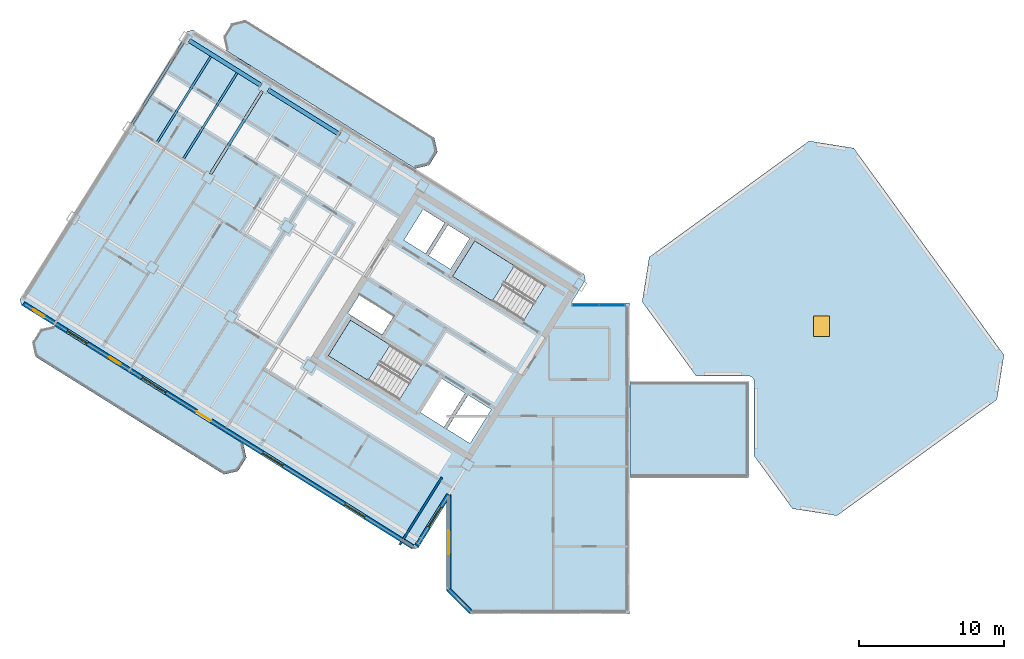
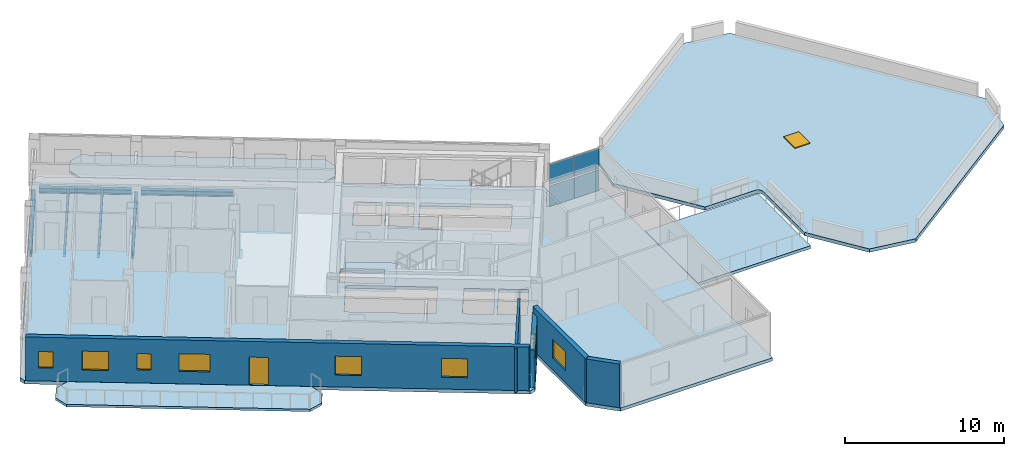
# One storey, part 4 of 14: 8 windows, 7 slabs, 6 beams, 5 walls, 4 plates, 2 doors, 10 openings, 3 elements without a shape of their own.
"""IFC4 building model written with IfcOpenShell, lengths in metres."""

from ifc_helpers import new_model, si_unit, direction, frame, frame_2d, origin, origin_2d, place, context, subcontext, project, spatial, polyline, rectangle, i_section, outline, extrude, source, transform, mapped, material, layer, layer_set, material_profile, profile_set, type_object, element, fill, aggregate, save


model = new_model("IFC4")

# Units and contexts
model_context = context("Model", 3, precision=1e-05, world=origin(), true_north=direction((0.0, 1.0)))
body_context = subcontext(model_context, "Body", "Model", "MODEL_VIEW")
ifc_project = project(units=[si_unit("LENGTHUNIT", "METRE"), si_unit("AREAUNIT", "SQUARE_METRE"), si_unit("VOLUMEUNIT", "CUBIC_METRE"), si_unit("PLANEANGLEUNIT", "RADIAN"), si_unit("MASSUNIT", "GRAM", prefix="KILO")], contexts=[model_context])

# Site, building, storey
site_placement = place(None, origin())
site = spatial("IfcSite", under=ifc_project, at=site_placement, CompositionType="ELEMENT")
building_placement = place(site_placement, origin())
building = spatial("IfcBuilding", under=site, at=building_placement, Name="Tlacorven Tower", CompositionType="ELEMENT")
storey_placement = place(building_placement, frame((0.0, 0.0, 262.800048828125)))
storey = spatial("IfcBuildingStorey", under=building, at=storey_placement, Name="L66", CompositionType="ELEMENT", Elevation=262.800048828125)

# Beams
ifc_material_1 = material(Name="Steel S355J2", Category="steel")
ifc_material_profile_1 = material_profile(ifc_material_1, i_section(OverallWidth=0.300048828125, OverallDepth=0.389892578125, WebThickness=0.010986328125, FlangeThickness=0.01904296875, at=origin_2d()), Name="HEA 400")
ifc_profile_set_1 = profile_set([ifc_material_profile_1], Name="Steel S355J2")
beam_type_1 = type_object("IfcBeamType", Name="BM-SPN-400", PredefinedType="SPANDREL", material=ifc_profile_set_1)
shared_shape_1 = source(origin(), body_context, "Body", "SweptSolid", [
    extrude(i_section(OverallWidth=0.300048828125, OverallDepth=0.389892578125, WebThickness=0.010986328125, FlangeThickness=0.01904296875, at=origin_2d()), origin(), (0.0, 0.0, 1.0), 5.800048828125),
])
for number, where, z_axis, x_axis, name in (
    (1, (24.24609375, 34.8017578125, -0.445068359375), (-0.848052689693, 0.529911912967, 0.0), (-0.529911912967, -0.848052689693, 0.0), "L66 beam BM-L66-WL1-4"),
    (2, (18.818603515625, 38.193359375, -0.445068359375), (-0.848052689693, 0.529911912967, 0.0), (-0.529911912967, -0.848052689693, 0.0), "L66 beam BM-L66-WL1-5"),
):
    element("IfcBeam", number, at=place(storey_placement, frame(where, z_axis=z_axis, x_axis=x_axis)), inside=storey, type_object=beam_type_1, Name=name, PredefinedType="SPANDREL", context=body_context, shape_type="MappedRepresentation", body=[
        mapped(shared_shape_1, transform((0.0, 0.0, 0.0), scale=1.0)),
    ])
ifc_material_profile_2 = material_profile(ifc_material_1, i_section(OverallWidth=0.14990234375, OverallDepth=0.300048828125, WebThickness=0.007080078125, FlangeThickness=0.0107421875, at=origin_2d()), Name="IPE 300")
ifc_profile_set_2 = profile_set([ifc_material_profile_2], Name="Steel S355J2")
beam_type_2 = type_object("IfcBeamType", Name="BM-JST-300", PredefinedType="JOIST", material=ifc_profile_set_2)
shared_shape_2 = source(origin(), body_context, "Body", "SweptSolid", [
    extrude(i_section(OverallWidth=0.14990234375, OverallDepth=0.300048828125, WebThickness=0.007080078125, FlangeThickness=0.0107421875, at=origin_2d()), origin(), (0.0, 0.0, 1.0), 7.044921875),
])
for number, where, z_axis, x_axis, name in (
    (3, (17.181640625, 39.033447265625, -0.400146484375), (-0.529899256491, -0.848060598053, 0.0), (0.848060598053, -0.529899256491, 0.0), "L66 beam BM-L66-WJ5-1-1"),
    (4, (15.372314453125, 40.163818359375, -0.400146484375), (-0.52991483005, -0.848050866925, 0.0), (0.848050866925, -0.52991483005, 0.0), "L66 beam BM-L66-WJ5-1-2"),
):
    element("IfcBeam", number, at=place(storey_placement, frame(where, z_axis=z_axis, x_axis=x_axis)), inside=storey, type_object=beam_type_2, Name=name, PredefinedType="JOIST", context=body_context, shape_type="MappedRepresentation", body=[
        mapped(shared_shape_2, transform((0.0, 0.0, 0.0), scale=1.0)),
    ])
ifc_material_profile_3 = material_profile(ifc_material_1, i_section(OverallWidth=0.18994140625, OverallDepth=0.449951171875, WebThickness=0.009521484375, FlangeThickness=0.0146484375, at=origin_2d()), Name="IPE 450")
ifc_profile_set_3 = profile_set([ifc_material_profile_3], Name="Steel S355J2")
beam_type_3 = type_object("IfcBeamType", Name="BM-TWR-450", PredefinedType="BEAM", material=ifc_profile_set_3)
shared_shape_3 = source(origin(), body_context, "Body", "SweptSolid", [
    extrude(i_section(OverallWidth=0.18994140625, OverallDepth=0.449951171875, WebThickness=0.009521484375, FlangeThickness=0.0146484375, at=origin_2d()), origin(), (0.0, 0.0, 1.0), 6.699951171875),
])
beam_1_placement = place(storey_placement, frame((13.486328125, 41.17138671875, -0.47509765625), z_axis=(-0.529903948186, -0.848057666493, 0.0), x_axis=(0.848057666493, -0.529903948186, 0.0)))
element("IfcBeam", 5, at=beam_1_placement, inside=storey, type_object=beam_type_3, Name="L66 beam BM-L66-WT6-1", PredefinedType="BEAM", context=body_context, shape_type="MappedRepresentation", body=[
    mapped(shared_shape_3, transform((0.0, 0.0, 0.0), scale=1.0)),
])
shared_shape_4 = source(origin(), body_context, "Body", "SweptSolid", [
    extrude(i_section(OverallWidth=0.18994140625, OverallDepth=0.449951171875, WebThickness=0.009521484375, FlangeThickness=0.0146484375, at=origin_2d()), origin(), (0.0, 0.0, 1.0), 6.7001953125),
])
beam_2_placement = place(storey_placement, frame((18.9140625, 37.780029296875, -0.47509765625), z_axis=(-0.52991377951, -0.848051523367, 0.0), x_axis=(0.848051523367, -0.52991377951, 0.0)))
element("IfcBeam", 6, at=beam_2_placement, inside=storey, type_object=beam_type_3, Name="L66 beam BM-L66-WT5-1", PredefinedType="BEAM", context=body_context, shape_type="MappedRepresentation", body=[
    mapped(shared_shape_4, transform((0.0, 0.0, 0.0), scale=1.0)),
])

# Slabs
ifc_material_2 = material(Name="Precast concrete C45/55", Category="concrete")
ifc_layer_1 = layer(ifc_material_2, 0.179931640625)
ifc_layer_set_1 = layer_set([ifc_layer_1], Name="Precast concrete C45/55")
slab_type_1 = type_object("IfcSlabType", Name="SL-BAL-180", PredefinedType="USERDEFINED", material=ifc_layer_set_1)
slab_1_placement = place(storey_placement, frame((0.0, 0.0, -0.179931640625)))
element("IfcSlab", 7, at=slab_1_placement, inside=storey, type_object=slab_type_1, Name="L66 West Wing Balcony Ribbon OUT", ObjectType="BALCONY SLAB", PredefinedType="USERDEFINED", context=body_context, shape_type="SweptSolid", body=[
    extrude(outline(polyline([(17.601318359375, 13.52490234375), (4.626220703125, 21.632568359375), (3.66162109375, 21.409912109375), (3.081298828125, 20.4814453125), (3.303955078125, 19.516845703125), (16.279052734375, 11.408935546875), (17.24365234375, 11.6318359375), (17.823974609375, 12.560302734375), (17.601318359375, 13.52490234375)])), origin(), (0.0, 0.0, 1.0), 0.179931640625),
])
slab_2_placement = place(storey_placement, frame((0.0, 0.0, -0.179931640625)))
element("IfcSlab", 8, at=slab_2_placement, inside=storey, type_object=slab_type_1, Name="L66 West Wing Balcony Ribbon IN", ObjectType="BALCONY SLAB", PredefinedType="USERDEFINED", context=body_context, shape_type="SweptSolid", body=[
    extrude(outline(polyline([(30.756591796875, 34.57763671875), (17.781494140625, 42.685546875), (16.81689453125, 42.462890625), (16.236572265625, 41.5341796875), (16.459228515625, 40.569580078125), (29.434326171875, 32.4619140625), (30.39892578125, 32.6845703125), (30.979248046875, 33.613037109375), (30.756591796875, 34.57763671875)])), origin(), (0.0, 0.0, 1.0), 0.179931640625),
])

# Stair, slab
ifc_material_3 = material(Name="Concrete C40/50", Category="concrete")
stair_type = type_object("IfcStairType", Name="ST-CORE-DLG", PredefinedType="HALF_TURN_STAIR", material=ifc_material_3)
stair_1_placement = place(storey_placement, origin())
stair_1 = element("IfcStair", 9, at=stair_1_placement, inside=storey, type_object=stair_type, Name="L66 Protected Exit Stair West 1", PredefinedType="HALF_TURN_STAIR")
ifc_layer_2 = layer(ifc_material_3, 0.199951171875)
ifc_layer_set_2 = layer_set([ifc_layer_2], Name="Concrete C40/50")
slab_type_2 = type_object("IfcSlabType", Name="SL-LND-200", PredefinedType="LANDING", material=ifc_layer_set_2)
slab_3_placement = place(storey_placement, frame((0.0, 0.0, 1.599853515625)))
slab_3 = element("IfcSlab", 10, at=slab_3_placement, type_object=slab_type_2, Name="ST-W1 landing 1", PredefinedType="LANDING", context=body_context, shape_type="SweptSolid", body=[
    extrude(outline(polyline([(27.728515625, 20.315185546875), (24.9892578125, 22.02685546875), (23.463134765625, 19.58447265625), (26.2021484375, 17.872802734375), (27.728515625, 20.315185546875)])), origin(), (0.0, 0.0, 1.0), 0.2001953125),
])
aggregate(stair_1, [slab_3])

stair_2_placement = place(storey_placement, origin())
stair_2 = element("IfcStair", 11, at=stair_2_placement, inside=storey, type_object=stair_type, Name="L66 Protected Exit Stair West 2", PredefinedType="HALF_TURN_STAIR")
slab_4_placement = place(storey_placement, frame((0.0, 0.0, 1.599853515625)))
slab_4 = element("IfcSlab", 12, at=slab_4_placement, type_object=slab_type_2, Name="ST-W2 landing 1", PredefinedType="LANDING", context=body_context, shape_type="SweptSolid", body=[
    extrude(outline(polyline([(36.280029296875, 25.772705078125), (33.540771484375, 27.484375), (32.0146484375, 25.0419921875), (34.75390625, 23.33056640625), (36.280029296875, 25.772705078125)])), origin(), (0.0, 0.0, 1.0), 0.2001953125),
])
aggregate(stair_2, [slab_4])

# Slab, opening, door
ifc_layer_3 = layer(ifc_material_3, 0.260009765625)
ifc_layer_set_3 = layer_set([ifc_layer_3], Name="Concrete C40/50")
slab_type_3 = type_object("IfcSlabType", Name="SL-ROF-260", PredefinedType="ROOF", material=ifc_layer_set_3)
slab_5_placement = place(storey_placement, frame((0.0, 0.0, -0.260009765625)))
slab_5 = element("IfcSlab", 13, at=slab_5_placement, inside=storey, type_object=slab_type_3, Name="L66 East Wing Structural Roof Slab", PredefinedType="ROOF", context=body_context, shape_type="SweptSolid", body=[
    extrude(outline(polyline([(52.780029296875, 12.670654296875), (52.780029296875, 17.800048828125), (52.778076171875, 17.837158203125), (52.772705078125, 17.8740234375), (52.763671875, 17.910400390625), (52.7509765625, 17.9453125), (52.735107421875, 17.979248046875), (52.716064453125, 18.01123046875), (52.69384765625, 18.041015625), (52.668701171875, 18.068603515625), (52.64111328125, 18.09375), (52.611083984375, 18.115966796875), (52.5791015625, 18.135009765625), (52.54541015625, 18.151123046875), (52.51025390625, 18.16357421875), (52.47412109375, 18.172607421875), (52.437255859375, 18.17822265625), (52.39990234375, 18.179931640625), (48.77734375, 18.179931640625), (45.064208984375, 23.29052734375), (45.551025390625, 26.363525390625), (56.553466796875, 34.357421875), (59.62646484375, 33.870849609375), (69.971435546875, 19.632080078125), (69.48486328125, 16.55908203125), (58.482177734375, 8.565185546875), (55.4091796875, 9.052001953125), (52.780029296875, 12.670654296875)])), origin(), (0.0, 0.0, 1.0), 0.260009765625),
])
opening_1_placement = place(slab_5_placement, frame((57.408203125, 21.6123046875, 0.0)))
opening_1 = element("IfcOpeningElement", 14, at=opening_1_placement, cuts=slab_5, Name="Opening RH01", PredefinedType="OPENING", context=body_context, shape_type="SweptSolid", body=[
    extrude(rectangle(XDim=1.10009765625, YDim=1.39990234375, at=origin_2d()), frame((0.0, 0.0, -0.010009765625)), (0.0, 0.0, 1.0), 0.35009765625),
])
ifc_material_4 = material(Name="Fire-rated steel door assembly", Category="steel")
door_type_1 = type_object("IfcDoorType", Name="DR-ROF-HTCH-1100", OperationType="SINGLE_SWING_LEFT", PredefinedType="TRAPDOOR", material=ifc_material_4)
door_1_placement = place(opening_1_placement, frame((0.0, 0.0, 0.260009765625)))
door_1 = element("IfcDoor", 15, at=door_1_placement, inside=storey, type_object=door_type_1, Name="L66 East Wing Roof Maintenance Access Hatch", OperationType="SINGLE_SWING_LEFT", OverallHeight=1.39990234375, OverallWidth=1.10009765625, PredefinedType="TRAPDOOR", context=body_context, shape_type="SweptSolid", body=[
    extrude(rectangle(XDim=1.10009765625, YDim=1.39990234375, at=origin_2d()), origin(), (0.0, 0.0, 1.0), 0.050048828125),
])
fill(opening_1, door_1)

# Slabs
ifc_layer_4 = layer(ifc_material_3, 0.219970703125)
ifc_layer_set_4 = layer_set([ifc_layer_4], Name="Concrete C40/50")
slab_type_4 = type_object("IfcSlabType", Name="SL-TER-220", PredefinedType="FLOOR", material=ifc_layer_set_4)
slab_6_placement = place(storey_placement, frame((0.0, 0.0, -0.219970703125)))
element("IfcSlab", 16, at=slab_6_placement, inside=storey, type_object=slab_type_4, Name="L66 East Wing Planted Sky Terrace Slab", PredefinedType="FLOOR", context=body_context, shape_type="SweptSolid", body=[
    extrude(outline(polyline([(44.219970703125, 11.199951171875), (52.39990234375, 11.199951171875), (52.39990234375, 17.800048828125), (44.219970703125, 17.800048828125), (44.219970703125, 11.199951171875)])), origin(), (0.0, 0.0, 1.0), 0.219970703125),
])
ifc_layer_5 = layer(ifc_material_3, 0.25)
ifc_layer_set_5 = layer_set([ifc_layer_5], Name="Concrete C40/50")
slab_type_5 = type_object("IfcSlabType", Name="SL-TWR-250", PredefinedType="FLOOR", material=ifc_layer_set_5)
slab_7_placement = place(storey_placement, frame((0.0, 0.0, -0.25)))
element("IfcSlab", 17, at=slab_7_placement, inside=storey, type_object=slab_type_5, Name="L66 Boomerang Tower Floor Slab", PredefinedType="FLOOR", context=body_context, shape_type="SweptSolid", body=[
    extrude(outline(polyline([(44.199951171875, 23.199951171875), (44.199951171875, 1.800048828125), (33.199951171875, 1.800048828125), (31.60009765625, 3.39990234375), (31.60009765625, 9.470703125), (29.652587890625, 6.35400390625), (29.2392578125, 6.258544921875), (2.339111328125, 23.067626953125), (2.24365234375, 23.481201171875), (13.75341796875, 41.900634765625), (14.1669921875, 41.99609375), (41.06689453125, 25.18701171875), (41.162353515625, 24.773681640625), (40.178955078125, 23.199951171875), (44.199951171875, 23.199951171875)]), holes=[polyline([(29.865478515625, 18.979736328125), (24.9892578125, 22.02685546875), (23.463134765625, 19.58447265625), (28.33935546875, 16.537353515625), (29.865478515625, 18.979736328125)]), polyline([(38.4169921875, 24.4375), (33.540771484375, 27.484375), (32.0146484375, 25.0419921875), (36.890869140625, 21.9951171875), (38.4169921875, 24.4375)]), polyline([(34.682373046875, 15.87548828125), (33.088134765625, 16.871826171875), (31.62548828125, 14.531005859375), (33.2197265625, 13.534912109375), (34.682373046875, 15.87548828125)]), polyline([(32.884521484375, 16.9990234375), (31.2392578125, 18.02685546875), (29.77685546875, 15.686279296875), (31.421875, 14.658203125), (32.884521484375, 16.9990234375)]), polyline([(33.197265625, 27.65185546875), (31.704833984375, 28.58447265625), (30.3798828125, 26.46435546875), (31.87255859375, 25.53173828125), (33.197265625, 27.65185546875)]), polyline([(31.484375, 28.722412109375), (29.99169921875, 29.655029296875), (28.6669921875, 27.534912109375), (30.159423828125, 26.602294921875), (31.484375, 28.722412109375)]), polyline([(27.96142578125, 22.2919921875), (25.603759765625, 23.76513671875), (24.80908203125, 22.4931640625), (27.16650390625, 21.02001953125), (27.96142578125, 22.2919921875)])]), origin(), (0.0, 0.0, 1.0), 0.25),
])

# Curtain wall, plates
ifc_material_5 = material(Name="Dark solar low-E double glazing in aluminium frame", Category="aluminium")
curtain_wall_type = type_object("IfcCurtainWallType", Name="CW-TWR-HIGH", PredefinedType="USERDEFINED", material=ifc_material_5)
curtain_wall_placement = place(storey_placement, origin())
curtain_wall = element("IfcCurtainWall", 18, at=curtain_wall_placement, inside=storey, type_object=curtain_wall_type, Name="L66 CW-TWR-HIGH Curtain Wall 308", ObjectType="UNITISED CURTAIN WALL", PredefinedType="USERDEFINED")
ifc_material_6 = material(Name="High-wind dark solar tempered low-E glazing", Category="glass")
ifc_layer_6 = layer(ifc_material_6, 0.028076171875)
ifc_layer_set_6 = layer_set([ifc_layer_6], Name="High-wind dark solar tempered low-E glazing")
plate_type = type_object("IfcPlateType", Name="CWP-03", PredefinedType="CURTAIN_PANEL", material=ifc_layer_set_6)
shared_shape_5 = source(origin(), body_context, "Body", "SweptSolid", [
    extrude(rectangle(XDim=1.776123046875, YDim=0.028076171875, at=origin_2d()), origin(), (0.0, 0.0, 1.0), 1.572998046875),
])
plate_1_placement = place(storey_placement, frame((41.182861328125, 23.0400390625, 0.05078125), z_axis=(0.0, 0.0, 1.0), x_axis=(1.0, 0.0, 0.0)))
plate_1 = element("IfcPlate", 19, at=plate_1_placement, type_object=plate_type, Name="CW-L66-308 Glazing Panel 1", PredefinedType="CURTAIN_PANEL", context=body_context, shape_type="MappedRepresentation", body=[
    mapped(shared_shape_5, transform((0.0, 0.0, 0.0), scale=1.0)),
])
plate_2_placement = place(storey_placement, frame((41.182861328125, 23.0400390625, 1.72607421875), z_axis=(0.0, 0.0, 1.0), x_axis=(1.0, 0.0, 0.0)))
plate_2 = element("IfcPlate", 20, at=plate_2_placement, type_object=plate_type, Name="CW-L66-308 Glazing Panel 2", PredefinedType="CURTAIN_PANEL", context=body_context, shape_type="MappedRepresentation", body=[
    mapped(shared_shape_5, transform((0.0, 0.0, 0.0), scale=1.0)),
])
plate_3_placement = place(storey_placement, frame((43.0009765625, 23.0400390625, 0.05078125), z_axis=(0.0, 0.0, 1.0), x_axis=(1.0, 0.0, 0.0)))
plate_3 = element("IfcPlate", 21, at=plate_3_placement, type_object=plate_type, Name="CW-L66-308 Glazing Panel 3", PredefinedType="CURTAIN_PANEL", context=body_context, shape_type="MappedRepresentation", body=[
    mapped(shared_shape_5, transform((0.0, 0.0, 0.0), scale=1.0)),
])
plate_4_placement = place(storey_placement, frame((43.0009765625, 23.0400390625, 1.72607421875), z_axis=(0.0, 0.0, 1.0), x_axis=(1.0, 0.0, 0.0)))
plate_4 = element("IfcPlate", 22, at=plate_4_placement, type_object=plate_type, Name="CW-L66-308 Glazing Panel 4", PredefinedType="CURTAIN_PANEL", context=body_context, shape_type="MappedRepresentation", body=[
    mapped(shared_shape_5, transform((0.0, 0.0, 0.0), scale=1.0)),
])
aggregate(curtain_wall, [plate_1, plate_2, plate_3, plate_4])

# Walls
ifc_material_7 = material(Name="Gypsum plasterboard acoustic partition", Category="gypsum")
ifc_layer_7 = layer(ifc_material_7, 0.159912109375)
ifc_layer_set_7 = layer_set([ifc_layer_7], Name="Gypsum plasterboard acoustic partition")
wall_type_1 = type_object("IfcWallType", Name="WL-DEM-160", PredefinedType="PARTITIONING", material=ifc_layer_set_7)
wall_1_placement = place(storey_placement, frame((31.282470703125, 11.2080078125, 0.0), z_axis=(0.0, 0.0, 1.0), x_axis=(-0.529938869374, -0.84803584519, 0.0)))
element("IfcWall", 23, at=wall_1_placement, inside=storey, type_object=wall_type_1, Name="L66 WC West Throat Wall", PredefinedType="PARTITIONING", context=body_context, shape_type="SweptSolid", body=[
    extrude(rectangle(XDim=5.47998046875, YDim=0.159912109375, at=frame_2d((2.739990234375, 0.0))), origin(), (0.0, 0.0, 1.0), 3.33984375),
])
ifc_layer_8 = layer(ifc_material_2, 0.320068359375)
ifc_layer_set_8 = layer_set([ifc_layer_8], Name="Precast concrete C45/55")
wall_type_2 = type_object("IfcWallType", Name="WL-EXT-320", PredefinedType="STANDARD", material=ifc_layer_set_8)
wall_2_placement = place(storey_placement, frame((33.266357421875, 1.9599609375, 0.0), z_axis=(0.0, 0.0, 1.0), x_axis=(-0.707106781187, 0.707106781187, 0.0)))
element("IfcWall", 24, at=wall_2_placement, inside=storey, type_object=wall_type_2, Name="L66 Masonry-Frame Recessed Facade Wall 3", PredefinedType="STANDARD", context=body_context, shape_type="SweptSolid", body=[
    extrude(rectangle(XDim=2.13037109375, YDim=0.320068359375, at=frame_2d((1.065185546875, 0.0))), origin(), (0.0, 0.0, 1.0), 3.349853515625),
])

# Wall, opening, window
wall_3_placement = place(storey_placement, frame((31.760009765625, 3.46630859375, 0.0), z_axis=(0.0, 0.0, 1.0), x_axis=(0.0, 1.0, 0.0)))
wall_3 = element("IfcWall", 25, at=wall_3_placement, inside=storey, type_object=wall_type_2, Name="L66 Masonry-Frame Recessed Facade Wall 4", PredefinedType="STANDARD", context=body_context, shape_type="SweptSolid", body=[
    extrude(rectangle(XDim=6.562255859375, YDim=0.320068359375, at=frame_2d((3.28125, 0.0))), origin(), (0.0, 0.0, 1.0), 3.349853515625),
])
opening_2_placement = place(wall_3_placement, frame((2.456298828125, 0.0, 0.89990234375)))
opening_2 = element("IfcOpeningElement", 26, at=opening_2_placement, cuts=wall_3, Name="Opening WN07", PredefinedType="OPENING", context=body_context, shape_type="SweptSolid", body=[
    extrude(rectangle(XDim=1.64990234375, YDim=1.449951171875, at=frame_2d((0.824951171875, 0.72509765625))), frame((0.0, 0.169921875, 0.0), z_axis=(0.0, -1.0, 0.0), x_axis=(1.0, 0.0, 0.0)), (0.0, 0.0, 1.0), 0.340087890625),
])
ifc_material_8 = material(Name="Dark solar low-E double glazing in anodised aluminium frame", Category="aluminium")
window_type_1 = type_object("IfcWindowType", Name="WN-APT-1650X1600", PartitioningType="SINGLE_PANEL", PredefinedType="WINDOW", material=ifc_material_8)
shared_shape_6 = source(origin(), body_context, "Body", "SweptSolid", [
    extrude(rectangle(XDim=1.64990234375, YDim=1.449951171875, at=frame_2d((0.824951171875, 0.72509765625))), frame((0.0, 0.030029296875, 0.0), z_axis=(0.0, -1.0, 0.0), x_axis=(1.0, 0.0, 0.0)), (0.0, 0.0, 1.0), 0.06005859375),
])
window_1_placement = place(opening_2_placement, origin())
window_1 = element("IfcWindow", 27, at=window_1_placement, inside=storey, type_object=window_type_1, Name="L66 Recessed Masonry-Frame Window L66-04.1", OverallHeight=1.449951171875, OverallWidth=1.64990234375, PartitioningType="SINGLE_PANEL", PredefinedType="WINDOW", context=body_context, shape_type="MappedRepresentation", body=[
    mapped(shared_shape_6, transform((0.0, 0.0, 0.0), scale=1.0)),
])
fill(opening_2, window_1)

wall_4_placement = place(storey_placement, frame((31.760009765625, 10.028564453125, 0.0), z_axis=(0.0, 0.0, 1.0), x_axis=(-0.529930468064, -0.848041095123, 0.0)))
wall_4 = element("IfcWall", 28, at=wall_4_placement, inside=storey, type_object=wall_type_2, Name="L66 Masonry-Frame Recessed Facade Wall 5", PredefinedType="STANDARD", context=body_context, shape_type="SweptSolid", body=[
    extrude(rectangle(XDim=4.16650390625, YDim=0.320068359375, at=frame_2d((2.083251953125, 0.0))), origin(), (0.0, 0.0, 1.0), 2.875),
])
opening_3_placement = place(wall_4_placement, frame((0.9990234375, 0.0, 0.89990234375)))
opening_3 = element("IfcOpeningElement", 29, at=opening_3_placement, cuts=wall_4, Name="Opening WN07", PredefinedType="OPENING", context=body_context, shape_type="SweptSolid", body=[
    extrude(rectangle(XDim=1.64990234375, YDim=1.449951171875, at=frame_2d((0.824951171875, 0.72509765625))), frame((0.0, 0.169921875, 0.0), z_axis=(0.0, -1.0, 0.0), x_axis=(1.0, 0.0, 0.0)), (0.0, 0.0, 1.0), 0.340087890625),
])
window_2_placement = place(opening_3_placement, origin())
window_2 = element("IfcWindow", 30, at=window_2_placement, inside=storey, type_object=window_type_1, Name="L66 Recessed Masonry-Frame Window L66-05.1", OverallHeight=1.449951171875, OverallWidth=1.64990234375, PartitioningType="SINGLE_PANEL", PredefinedType="WINDOW", context=body_context, shape_type="MappedRepresentation", body=[
    mapped(shared_shape_6, transform((0.0, 0.0, 0.0), scale=1.0)),
])
fill(opening_3, window_2)

# Wall, openings, door, windows
wall_5_placement = place(storey_placement, frame((29.267822265625, 6.429443359375, 0.0), z_axis=(0.0, 0.0, 1.0), x_axis=(-0.848049971435, 0.529916263149, 0.0)))
wall_5 = element("IfcWall", 31, at=wall_5_placement, inside=storey, type_object=wall_type_2, Name="L66 Masonry-Frame Recessed Facade Wall 6", PredefinedType="STANDARD", context=body_context, shape_type="SweptSolid", body=[
    extrude(rectangle(XDim=31.587646484375, YDim=0.320068359375, at=frame_2d((15.7939453125, 0.0))), origin(), (0.0, 0.0, 1.0), 3.349853515625),
])
opening_4_placement = place(wall_5_placement, frame((16.36181640625, 0.0, 0.0)))
opening_4 = element("IfcOpeningElement", 32, at=opening_4_placement, cuts=wall_5, Name="Opening D05", PredefinedType="OPENING", context=body_context, shape_type="SweptSolid", body=[
    extrude(rectangle(XDim=1.199951171875, YDim=2.14990234375, at=frame_2d((0.60009765625, 1.074951171875))), frame((0.0, 0.169921875, 0.0), z_axis=(0.0, -1.0, 0.0), x_axis=(1.0, 0.0, 0.0)), (0.0, 0.0, 1.0), 0.340087890625),
])
opening_5_placement = place(wall_5_placement, frame((3.858642578125, 0.0, 0.89990234375)))
opening_5 = element("IfcOpeningElement", 33, at=opening_5_placement, cuts=wall_5, Name="Opening WN07", PredefinedType="OPENING", context=body_context, shape_type="SweptSolid", body=[
    extrude(rectangle(XDim=1.64990234375, YDim=1.449951171875, at=frame_2d((0.824951171875, 0.72509765625))), frame((0.0, 0.169921875, 0.0), z_axis=(0.0, -1.0, 0.0), x_axis=(1.0, 0.0, 0.0)), (0.0, 0.0, 1.0), 0.340087890625),
])
opening_6_placement = place(wall_5_placement, frame((10.518798828125, 0.0, 0.89990234375)))
opening_6 = element("IfcOpeningElement", 34, at=opening_6_placement, cuts=wall_5, Name="Opening WN07", PredefinedType="OPENING", context=body_context, shape_type="SweptSolid", body=[
    extrude(rectangle(XDim=1.64990234375, YDim=1.449951171875, at=frame_2d((0.824951171875, 0.72509765625))), frame((0.0, 0.169921875, 0.0), z_axis=(0.0, -1.0, 0.0), x_axis=(1.0, 0.0, 0.0)), (0.0, 0.0, 1.0), 0.340087890625),
])
opening_7_placement = place(wall_5_placement, frame((20.01513671875, 0.0, 0.949951171875)))
opening_7 = element("IfcOpeningElement", 35, at=opening_7_placement, cuts=wall_5, Name="Opening WN09", PredefinedType="OPENING", context=body_context, shape_type="SweptSolid", body=[
    extrude(rectangle(XDim=1.949951171875, YDim=1.35009765625, at=frame_2d((0.97509765625, 0.675048828125))), frame((0.0, 0.169921875, 0.0), z_axis=(0.0, -1.0, 0.0), x_axis=(1.0, 0.0, 0.0)), (0.0, 0.0, 1.0), 0.340087890625),
])
opening_8_placement = place(wall_5_placement, frame((23.715087890625, 0.0, 1.0)))
opening_8 = element("IfcOpeningElement", 36, at=opening_8_placement, cuts=wall_5, Name="Opening WN05", PredefinedType="OPENING", context=body_context, shape_type="SweptSolid", body=[
    extrude(rectangle(XDim=0.89990234375, YDim=1.25, at=frame_2d((0.449951171875, 0.625))), frame((0.0, 0.169921875, 0.0), z_axis=(0.0, -1.0, 0.0), x_axis=(1.0, 0.0, 0.0)), (0.0, 0.0, 1.0), 0.340087890625),
])
opening_9_placement = place(wall_5_placement, frame((26.39111328125, 0.0, 0.89990234375)))
opening_9 = element("IfcOpeningElement", 37, at=opening_9_placement, cuts=wall_5, Name="Opening WN07", PredefinedType="OPENING", context=body_context, shape_type="SweptSolid", body=[
    extrude(rectangle(XDim=1.64990234375, YDim=1.449951171875, at=frame_2d((0.824951171875, 0.72509765625))), frame((0.0, 0.169921875, 0.0), z_axis=(0.0, -1.0, 0.0), x_axis=(1.0, 0.0, 0.0)), (0.0, 0.0, 1.0), 0.340087890625),
])
opening_10_placement = place(wall_5_placement, frame((29.878173828125, 0.0, 1.0)))
opening_10 = element("IfcOpeningElement", 38, at=opening_10_placement, cuts=wall_5, Name="Opening WN05", PredefinedType="OPENING", context=body_context, shape_type="SweptSolid", body=[
    extrude(rectangle(XDim=0.89990234375, YDim=1.25, at=frame_2d((0.449951171875, 0.625))), frame((0.0, 0.169921875, 0.0), z_axis=(0.0, -1.0, 0.0), x_axis=(1.0, 0.0, 0.0)), (0.0, 0.0, 1.0), 0.340087890625),
])
ifc_material_9 = material(Name="Powder-coated aluminium and timber door", Category="wood")
door_type_2 = type_object("IfcDoorType", Name="DR-EXT-BALC-1200", OperationType="NOTDEFINED", PredefinedType="DOOR", material=ifc_material_9)
shared_shape_7 = source(origin(), body_context, "Body", "SweptSolid", [
    extrude(rectangle(XDim=1.199951171875, YDim=2.14990234375, at=frame_2d((0.60009765625, 1.074951171875))), frame((0.0, 0.02490234375, 0.0), z_axis=(0.0, -1.0, 0.0), x_axis=(1.0, 0.0, 0.0)), (0.0, 0.0, 1.0), 0.050048828125),
])
door_2_placement = place(opening_4_placement, origin())
door_2 = element("IfcDoor", 39, at=door_2_placement, inside=storey, type_object=door_type_2, Name="L66 Outdoor Access Door BAL-L66-W-OUT", OperationType="SINGLE_SWING_LEFT", OverallHeight=2.14990234375, OverallWidth=1.199951171875, PredefinedType="DOOR", context=body_context, shape_type="MappedRepresentation", body=[
    mapped(shared_shape_7, transform((0.0, 0.0, 0.0), scale=1.0)),
])
fill(opening_4, door_2)
window_type_2 = type_object("IfcWindowType", Name="WN-APT-0900X1350", PartitioningType="SINGLE_PANEL", PredefinedType="WINDOW", material=ifc_material_8)
shared_shape_8 = source(origin(), body_context, "Body", "SweptSolid", [
    extrude(rectangle(XDim=0.89990234375, YDim=1.25, at=frame_2d((0.449951171875, 0.625))), frame((0.0, 0.030029296875, 0.0), z_axis=(0.0, -1.0, 0.0), x_axis=(1.0, 0.0, 0.0)), (0.0, 0.0, 1.0), 0.06005859375),
])
window_3_placement = place(opening_8_placement, origin())
window_3 = element("IfcWindow", 40, at=window_3_placement, inside=storey, type_object=window_type_2, Name="L66 Recessed Masonry-Frame Window L66-06.4", OverallHeight=1.25, OverallWidth=0.89990234375, PartitioningType="SINGLE_PANEL", PredefinedType="WINDOW", context=body_context, shape_type="MappedRepresentation", body=[
    mapped(shared_shape_8, transform((0.0, 0.0, 0.0), scale=1.0)),
])
fill(opening_8, window_3)
window_4_placement = place(opening_10_placement, origin())
window_4 = element("IfcWindow", 41, at=window_4_placement, inside=storey, type_object=window_type_2, Name="L66 Recessed Masonry-Frame Window L66-06.6", OverallHeight=1.25, OverallWidth=0.89990234375, PartitioningType="SINGLE_PANEL", PredefinedType="WINDOW", context=body_context, shape_type="MappedRepresentation", body=[
    mapped(shared_shape_8, transform((0.0, 0.0, 0.0), scale=1.0)),
])
fill(opening_10, window_4)
window_5_placement = place(opening_5_placement, origin())
window_5 = element("IfcWindow", 42, at=window_5_placement, inside=storey, type_object=window_type_1, Name="L66 Recessed Masonry-Frame Window L66-06.1", OverallHeight=1.449951171875, OverallWidth=1.64990234375, PartitioningType="SINGLE_PANEL", PredefinedType="WINDOW", context=body_context, shape_type="MappedRepresentation", body=[
    mapped(shared_shape_6, transform((0.0, 0.0, 0.0), scale=1.0)),
])
fill(opening_5, window_5)
window_6_placement = place(opening_6_placement, origin())
window_6 = element("IfcWindow", 43, at=window_6_placement, inside=storey, type_object=window_type_1, Name="L66 Recessed Masonry-Frame Window L66-06.2", OverallHeight=1.449951171875, OverallWidth=1.64990234375, PartitioningType="SINGLE_PANEL", PredefinedType="WINDOW", context=body_context, shape_type="MappedRepresentation", body=[
    mapped(shared_shape_6, transform((0.0, 0.0, 0.0), scale=1.0)),
])
fill(opening_6, window_6)
window_7_placement = place(opening_9_placement, origin())
window_7 = element("IfcWindow", 44, at=window_7_placement, inside=storey, type_object=window_type_1, Name="L66 Recessed Masonry-Frame Window L66-06.5", OverallHeight=1.449951171875, OverallWidth=1.64990234375, PartitioningType="SINGLE_PANEL", PredefinedType="WINDOW", context=body_context, shape_type="MappedRepresentation", body=[
    mapped(shared_shape_6, transform((0.0, 0.0, 0.0), scale=1.0)),
])
fill(opening_9, window_7)
window_type_3 = type_object("IfcWindowType", Name="WN-GAL-1950X1450", PartitioningType="SINGLE_PANEL", PredefinedType="WINDOW", material=ifc_material_8)
shared_shape_9 = source(origin(), body_context, "Body", "SweptSolid", [
    extrude(rectangle(XDim=1.949951171875, YDim=1.35009765625, at=frame_2d((0.97509765625, 0.675048828125))), frame((0.0, 0.030029296875, 0.0), z_axis=(0.0, -1.0, 0.0), x_axis=(1.0, 0.0, 0.0)), (0.0, 0.0, 1.0), 0.06005859375),
])
window_8_placement = place(opening_7_placement, origin())
window_8 = element("IfcWindow", 45, at=window_8_placement, inside=storey, type_object=window_type_3, Name="L66 Recessed Masonry-Frame Window L66-06.3", OverallHeight=1.35009765625, OverallWidth=1.949951171875, PartitioningType="SINGLE_PANEL", PredefinedType="WINDOW", context=body_context, shape_type="MappedRepresentation", body=[
    mapped(shared_shape_9, transform((0.0, 0.0, 0.0), scale=1.0)),
])
fill(opening_7, window_8)

save(model, "model.ifc")
